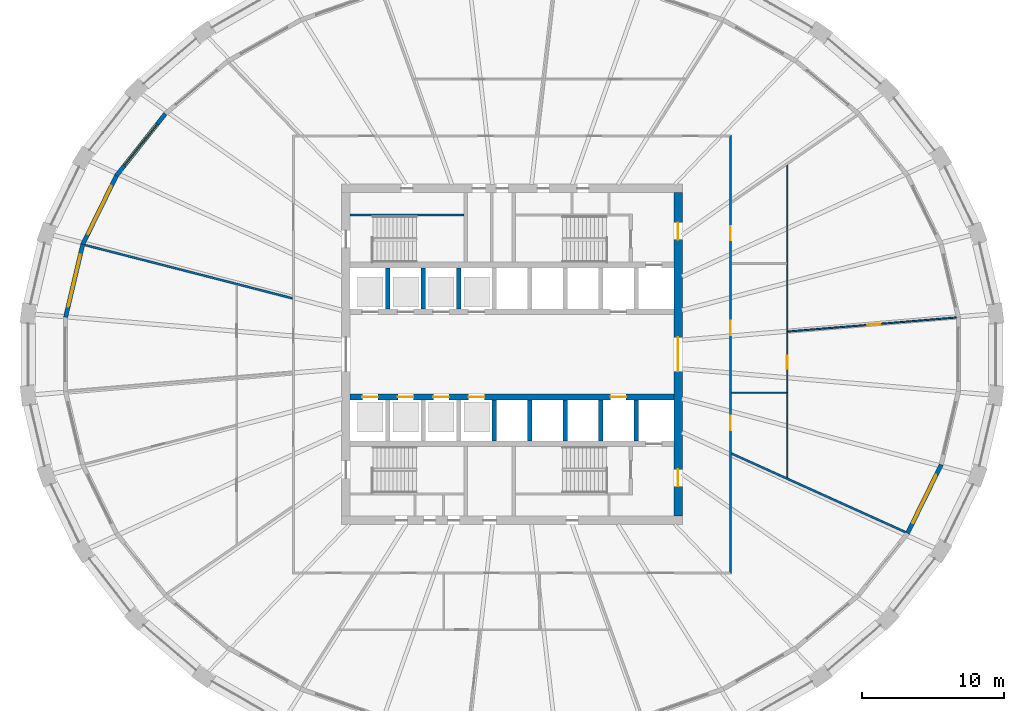
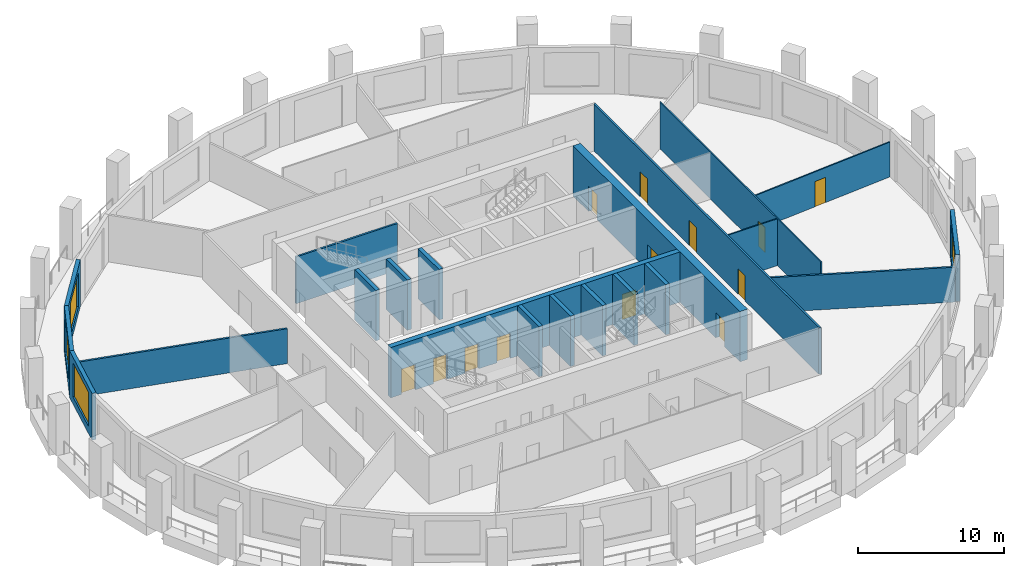
# One storey, part 5 of 11: 21 walls, 13 doors, 4 windows, 17 openings.
"""IFC4 building model written with IfcOpenShell, lengths in metres."""

from ifc_helpers import new_model, si_unit, direction, frame, frame_2d, origin, place, context, subcontext, project, spatial, polyline, rectangle, outline, extrude, material, layer, layer_set, type_object, element, fill, save


model = new_model("IFC4")

# Units and contexts
model_context = context("Model", 3, precision=1e-05, world=origin(), true_north=direction((0.0, 1.0)))
body_context = subcontext(model_context, "Body", "Model", "MODEL_VIEW")
ifc_project = project(units=[si_unit("LENGTHUNIT", "METRE"), si_unit("AREAUNIT", "SQUARE_METRE"), si_unit("VOLUMEUNIT", "CUBIC_METRE"), si_unit("PLANEANGLEUNIT", "RADIAN"), si_unit("MASSUNIT", "GRAM", prefix="KILO")], contexts=[model_context])

# Site, building, storey
site_placement = place(None, origin())
site = spatial("IfcSite", under=ifc_project, at=site_placement, CompositionType="ELEMENT")
building_placement = place(site_placement, origin())
building = spatial("IfcBuilding", under=site, at=building_placement, Name="Halqa Exchange Tower", CompositionType="ELEMENT")
storey_placement = place(building_placement, frame((0.0, 0.0, 146.5)))
storey = spatial("IfcBuildingStorey", under=building, at=storey_placement, Name="L33", CompositionType="ELEMENT", Elevation=146.5)

# Wall
ifc_material_1 = material(Name="Fire-rated gypsum board")
ifc_layer_1 = layer(ifc_material_1, 0.14990234375)
ifc_layer_set_1 = layer_set([ifc_layer_1], Name="Fire-rated gypsum board")
wall_type_1 = type_object("IfcWallType", Name="Fire partition EI 60 150", PredefinedType="PARTITIONING", material=ifc_layer_set_1)
wall_1_placement = place(storey_placement, frame((-30.106201171875, 7.714599609375, 0.0), z_axis=(0.0, 0.0, 1.0), x_axis=(0.968604188178, -0.248607977837, 0.0)))
element("IfcWall", 1, at=wall_1_placement, inside=storey, type_object=wall_type_1, Name="L33-PWL-002", PredefinedType="PARTITIONING", context=body_context, shape_type="SweptSolid", body=[
    extrude(outline(polyline([(0.0, -0.074951171875), (1.853271484375, -0.074951171875), (3.70654296875, -0.074951171875), (5.56005859375, -0.074951171875), (7.413330078125, -0.074951171875), (9.2666015625, -0.074951171875), (11.119873046875, -0.074951171875), (11.123779296875, -0.073974609375), (11.1240234375, -0.074951171875), (12.45751953125, -0.074951171875), (13.790771484375, -0.074951171875), (15.124267578125, -0.074951171875), (15.124267578125, -0.0732421875), (15.086181640625, 0.074951171875), (13.2021484375, 0.074951171875), (11.318359375, 0.074951171875), (9.434326171875, 0.074951171875), (7.55029296875, 0.074951171875), (5.66650390625, 0.074951171875), (3.782470703125, 0.074951171875), (1.8984375, 0.074951171875), (0.0146484375, 0.074951171875), (0.0, 0.0048828125), (0.0, -0.074951171875)])), origin(), (0.0, 0.0, 1.0), 2.909912109375),
])

# Wall, openings, doors
wall_2_placement = place(storey_placement, frame((15.39990234375, -15.47509765625, 0.0), z_axis=(0.0, 0.0, 1.0), x_axis=(0.0, 1.0, 0.0)))
wall_2 = element("IfcWall", 2, at=wall_2_placement, inside=storey, type_object=wall_type_1, Name="L33-PWL-023", PredefinedType="PARTITIONING", context=body_context, shape_type="SweptSolid", body=[
    extrude(outline(polyline([(0.000244140625, -0.074951171875), (1.9345703125, -0.074951171875), (3.868896484375, -0.074951171875), (5.80322265625, -0.074951171875), (7.73779296875, -0.074951171875), (9.672119140625, -0.074951171875), (11.6064453125, -0.074951171875), (13.540771484375, -0.074951171875), (15.47509765625, -0.074951171875), (17.409423828125, -0.074951171875), (19.34375, -0.074951171875), (21.278076171875, -0.074951171875), (23.21240234375, -0.074951171875), (25.14697265625, -0.074951171875), (27.081298828125, -0.074951171875), (29.015625, -0.074951171875), (30.949951171875, -0.074951171875), (30.800048828125, 0.074951171875), (28.884521484375, 0.074951171875), (26.96875, 0.074951171875), (25.05322265625, 0.074951171875), (23.1376953125, 0.074951171875), (21.221923828125, 0.074951171875), (19.306396484375, 0.074951171875), (17.390625, 0.074951171875), (15.47509765625, 0.074951171875), (13.5595703125, 0.074951171875), (11.643798828125, 0.074951171875), (9.728271484375, 0.074951171875), (7.8125, 0.074951171875), (5.89697265625, 0.074951171875), (3.9814453125, 0.074951171875), (2.065673828125, 0.074951171875), (0.150146484375, 0.074951171875), (0.000244140625, -0.074951171875)])), origin(), (0.0, 0.0, 1.0), 3.89990234375),
])
opening_1_placement = place(wall_2_placement, frame((10.14990234375, 0.0, 0.0)))
opening_1 = element("IfcOpeningElement", 3, at=opening_1_placement, cuts=wall_2, Name="Opening 10-01", PredefinedType="OPENING", context=body_context, shape_type="SweptSolid", body=[
    extrude(rectangle(XDim=1.0, YDim=2.10009765625, at=frame_2d((0.5, 1.050048828125))), frame((0.0, 0.0869140625, 0.0), z_axis=(0.0, -1.0, 0.0), x_axis=(1.0, 0.0, 0.0)), (0.0, 0.0, 1.0), 0.173828125),
])
opening_2_placement = place(wall_2_placement, frame((16.8349609375, 0.0, 0.0)))
opening_2 = element("IfcOpeningElement", 4, at=opening_2_placement, cuts=wall_2, Name="Opening 10-02", PredefinedType="OPENING", context=body_context, shape_type="SweptSolid", body=[
    extrude(rectangle(XDim=1.0, YDim=2.10009765625, at=frame_2d((0.5, 1.050048828125))), frame((0.0, 0.0869140625, 0.0), z_axis=(0.0, -1.0, 0.0), x_axis=(1.0, 0.0, 0.0)), (0.0, 0.0, 1.0), 0.173828125),
])
opening_3_placement = place(wall_2_placement, frame((23.52001953125, 0.0, 0.0)))
opening_3 = element("IfcOpeningElement", 5, at=opening_3_placement, cuts=wall_2, Name="Opening 10-03", PredefinedType="OPENING", context=body_context, shape_type="SweptSolid", body=[
    extrude(rectangle(XDim=1.0, YDim=2.10009765625, at=frame_2d((0.5, 1.050048828125))), frame((0.0, 0.0869140625, 0.0), z_axis=(0.0, -1.0, 0.0), x_axis=(1.0, 0.0, 0.0)), (0.0, 0.0, 1.0), 0.173828125),
])
ifc_material_2 = material(Name="Steel fire door leaf", Category="steel")
door_type_1 = type_object("IfcDoorType", Name="Fire door FD30S 1000 x 2100", OperationType="SINGLE_SWING_LEFT", PredefinedType="DOOR", material=ifc_material_2)
door_1_placement = place(opening_1_placement, frame((1.0, 0.0, 0.0), z_axis=(0.0, 0.0, 1.0), x_axis=(-1.0, 0.0, 0.0)))
door_1 = element("IfcDoor", 6, at=door_1_placement, inside=storey, type_object=door_type_1, Name="L33-IDR-001", OperationType="SINGLE_SWING_LEFT", OverallHeight=2.10009765625, OverallWidth=1.0, PredefinedType="DOOR", context=body_context, shape_type="SweptSolid", body=[
    extrude(rectangle(XDim=1.0, YDim=2.10009765625, at=frame_2d((0.5, 1.050048828125))), frame((0.0, 0.02490234375, 0.0), z_axis=(0.0, -1.0, 0.0), x_axis=(1.0, 0.0, 0.0)), (0.0, 0.0, 1.0), 0.050048828125),
])
fill(opening_1, door_1)
door_2_placement = place(opening_2_placement, frame((1.0, 0.0, 0.0), z_axis=(0.0, 0.0, 1.0), x_axis=(-1.0, 0.0, 0.0)))
door_2 = element("IfcDoor", 7, at=door_2_placement, inside=storey, type_object=door_type_1, Name="L33-IDR-002", OperationType="SINGLE_SWING_LEFT", OverallHeight=2.10009765625, OverallWidth=1.0, PredefinedType="DOOR", context=body_context, shape_type="SweptSolid", body=[
    extrude(rectangle(XDim=1.0, YDim=2.10009765625, at=frame_2d((0.5, 1.050048828125))), frame((0.0, 0.02490234375, 0.0), z_axis=(0.0, -1.0, 0.0), x_axis=(1.0, 0.0, 0.0)), (0.0, 0.0, 1.0), 0.050048828125),
])
fill(opening_2, door_2)
door_3_placement = place(opening_3_placement, frame((1.0, 0.0, 0.0), z_axis=(0.0, 0.0, 1.0), x_axis=(-1.0, 0.0, 0.0)))
door_3 = element("IfcDoor", 8, at=door_3_placement, inside=storey, type_object=door_type_1, Name="L33-IDR-003", OperationType="SINGLE_SWING_LEFT", OverallHeight=2.10009765625, OverallWidth=1.0, PredefinedType="DOOR", context=body_context, shape_type="SweptSolid", body=[
    extrude(rectangle(XDim=1.0, YDim=2.10009765625, at=frame_2d((0.5, 1.050048828125))), frame((0.0, 0.02490234375, 0.0), z_axis=(0.0, -1.0, 0.0), x_axis=(1.0, 0.0, 0.0)), (0.0, 0.0, 1.0), 0.050048828125),
])
fill(opening_3, door_3)

# Walls
wall_3_placement = place(storey_placement, frame((15.444091796875, -6.969970703125, 0.0), z_axis=(0.0, 0.0, 1.0), x_axis=(0.911349155517, -0.411634202587, 0.0)))
element("IfcWall", 9, at=wall_3_placement, inside=storey, type_object=wall_type_1, Name="L33-PWL-024", PredefinedType="PARTITIONING", context=body_context, shape_type="SweptSolid", body=[
    extrude(outline(polyline([(0.06787109375, -0.074951171875), (1.98388671875, -0.074951171875), (3.89990234375, -0.074951171875), (5.81591796875, -0.074951171875), (7.73193359375, -0.074951171875), (9.64794921875, -0.074951171875), (11.564208984375, -0.074951171875), (13.480224609375, -0.074951171875), (13.49951171875, 0.0029296875), (13.50146484375, 0.0615234375), (13.50146484375, 0.074951171875), (11.65185546875, 0.074951171875), (9.80224609375, 0.074951171875), (7.95263671875, 0.074951171875), (6.10302734375, 0.074951171875), (4.25341796875, 0.074951171875), (4.252197265625, 0.074462890625), (4.251953125, 0.074951171875), (2.834716796875, 0.074951171875), (1.41748046875, 0.074951171875), (0.0, 0.074951171875), (0.06787109375, -0.074951171875)])), origin(), (0.0, 0.0, 1.0), 2.909912109375),
])
ifc_material_3 = material(Name="Gypsum board")
ifc_layer_2 = layer(ifc_material_3, 0.10009765625)
ifc_layer_set_2 = layer_set([ifc_layer_2], Name="Gypsum board")
wall_type_2 = type_object("IfcWallType", Name="Partition 100 gypsum", PredefinedType="PARTITIONING", material=ifc_layer_set_2)
wall_4_placement = place(storey_placement, frame((15.47509765625, -2.699951171875, 0.0), z_axis=(0.0, 0.0, 1.0), x_axis=(1.0, 0.0, 0.0)))
element("IfcWall", 10, at=wall_4_placement, inside=storey, type_object=wall_type_2, Name="L33-PWL-025", PredefinedType="PARTITIONING", context=body_context, shape_type="SweptSolid", body=[
    extrude(rectangle(XDim=3.875, YDim=0.10009765625, at=frame_2d((1.9375, 0.0))), origin(), (0.0, 0.0, 1.0), 3.89990234375),
])

# Wall, opening, door
wall_5_placement = place(storey_placement, frame((19.39990234375, -8.696533203125, 0.0), z_axis=(0.0, 0.0, 1.0), x_axis=(0.0, 1.0, 0.0)))
wall_5 = element("IfcWall", 11, at=wall_5_placement, inside=storey, type_object=wall_type_2, Name="L33-PWL-028", PredefinedType="PARTITIONING", context=body_context, shape_type="SweptSolid", body=[
    extrude(outline(polyline([(22.07958984375, -0.050048828125), (22.07958984375, -0.049560546875), (22.010498046875, 0.050048828125), (20.299560546875, 0.050048828125), (18.588623046875, 0.050048828125), (16.87744140625, 0.050048828125), (15.16650390625, 0.050048828125), (15.16650390625, 0.0498046875), (15.066650390625, 0.0498046875), (15.066650390625, 0.050048828125), (13.262451171875, 0.050048828125), (11.45849609375, 0.050048828125), (9.654541015625, 0.050048828125), (7.8505859375, 0.050048828125), (6.046630859375, 0.050048828125), (6.046630859375, 0.0498046875), (5.946533203125, 0.0498046875), (5.946533203125, 0.050048828125), (3.979248046875, 0.050048828125), (2.011962890625, 0.050048828125), (0.044677734375, 0.050048828125), (0.0, -0.049072265625), (0.0, -0.050048828125), (1.83984375, -0.050048828125), (3.679931640625, -0.050048828125), (5.52001953125, -0.050048828125), (7.35986328125, -0.050048828125), (9.19970703125, -0.050048828125), (11.039794921875, -0.050048828125), (12.8798828125, -0.050048828125), (14.7197265625, -0.050048828125), (16.5595703125, -0.050048828125), (18.399658203125, -0.050048828125), (20.23974609375, -0.050048828125), (22.07958984375, -0.050048828125)])), origin(), (0.0, 0.0, 1.0), 3.89990234375),
])
opening_4_placement = place(wall_5_placement, frame((7.701416015625, 0.0, 0.0)))
opening_4 = element("IfcOpeningElement", 12, at=opening_4_placement, cuts=wall_5, Name="Opening 10-16", PredefinedType="OPENING", context=body_context, shape_type="SweptSolid", body=[
    extrude(rectangle(XDim=0.89990234375, YDim=2.10009765625, at=frame_2d((0.449951171875, 1.050048828125))), frame((0.0, 0.06201171875, 0.0), z_axis=(0.0, -1.0, 0.0), x_axis=(1.0, 0.0, 0.0)), (0.0, 0.0, 1.0), 0.1240234375),
])
ifc_material_4 = material(Name="Timber door leaf", Category="wood")
door_type_2 = type_object("IfcDoorType", Name="Door 900 x 2100", OperationType="SINGLE_SWING_LEFT", PredefinedType="DOOR", material=ifc_material_4)
door_4_placement = place(opening_4_placement, origin())
door_4 = element("IfcDoor", 13, at=door_4_placement, inside=storey, type_object=door_type_2, Name="L33-IDR-016", OperationType="SINGLE_SWING_RIGHT", OverallHeight=2.10009765625, OverallWidth=0.89990234375, PredefinedType="DOOR", context=body_context, shape_type="SweptSolid", body=[
    extrude(rectangle(XDim=0.89990234375, YDim=2.10009765625, at=frame_2d((0.449951171875, 1.050048828125))), frame((0.0, 0.02490234375, 0.0), z_axis=(0.0, -1.0, 0.0), x_axis=(1.0, 0.0, 0.0)), (0.0, 0.0, 1.0), 0.050048828125),
])
fill(opening_4, door_4)

wall_6_placement = place(storey_placement, frame((19.44580078125, 1.61376953125, 0.0), z_axis=(0.0, 0.0, 1.0), x_axis=(0.996528479526, 0.083252564492, 0.0)))
wall_6 = element("IfcWall", 14, at=wall_6_placement, inside=storey, type_object=wall_type_2, Name="L33-PWL-029", PredefinedType="PARTITIONING", context=body_context, shape_type="SweptSolid", body=[
    extrude(outline(polyline([(0.0, -0.050048828125), (1.98388671875, -0.050048828125), (3.9677734375, -0.050048828125), (5.95166015625, -0.050048828125), (7.935302734375, -0.050048828125), (9.919189453125, -0.050048828125), (11.903076171875, -0.050048828125), (11.903076171875, -0.0498046875), (11.903076171875, 0.026611328125), (11.899658203125, 0.050048828125), (9.917724609375, 0.050048828125), (7.935791015625, 0.050048828125), (5.9541015625, 0.050048828125), (3.97216796875, 0.050048828125), (1.990234375, 0.050048828125), (0.00830078125, 0.050048828125), (0.0, -0.050048828125)])), origin(), (0.0, 0.0, 1.0), 2.909912109375),
])
opening_5_placement = place(wall_6_placement, frame((5.63037109375, 0.0, 0.0)))
opening_5 = element("IfcOpeningElement", 15, at=opening_5_placement, cuts=wall_6, Name="Opening 10-17", PredefinedType="OPENING", context=body_context, shape_type="SweptSolid", body=[
    extrude(rectangle(XDim=0.89990234375, YDim=2.10009765625, at=frame_2d((0.449951171875, 1.050048828125))), frame((0.0, 0.06201171875, 0.0), z_axis=(0.0, -1.0, 0.0), x_axis=(1.0, 0.0, 0.0)), (0.0, 0.0, 1.0), 0.1240234375),
])
door_5_placement = place(opening_5_placement, origin())
door_5 = element("IfcDoor", 16, at=door_5_placement, inside=storey, type_object=door_type_2, Name="L33-IDR-017", OperationType="SINGLE_SWING_RIGHT", OverallHeight=2.10009765625, OverallWidth=0.89990234375, PredefinedType="DOOR", context=body_context, shape_type="SweptSolid", body=[
    extrude(rectangle(XDim=0.89990234375, YDim=2.10009765625, at=frame_2d((0.449951171875, 1.050048828125))), frame((0.0, 0.02490234375, 0.0), z_axis=(0.0, -1.0, 0.0), x_axis=(1.0, 0.0, 0.0)), (0.0, 0.0, 1.0), 0.050048828125),
])
fill(opening_5, door_5)

# Walls
ifc_material_5 = material(Name="Concrete C60/75", Category="concrete")
ifc_layer_3 = layer(ifc_material_5, 0.300048828125)
ifc_layer_set_3 = layer_set([ifc_layer_3], Name="Concrete C60/75")
wall_type_3 = type_object("IfcWallType", Name="RC core wall 300", PredefinedType="SHEAR", material=ifc_layer_set_3)
for number, where, z_axis, x_axis, name in (
    (17, (-8.75, 3.199951171875, 0.0), (0.0, 0.0, 1.0), (0.0, 1.0, 0.0), "Shaft divider N1"),
    (18, (-6.25, 3.199951171875, 0.0), (0.0, 0.0, 1.0), (0.0, 1.0, 0.0), "Shaft divider N2"),
    (19, (-3.75, 3.199951171875, 0.0), (0.0, 0.0, 1.0), (0.0, 1.0, 0.0), "Shaft divider N3"),
    (20, (-1.25, -6.10009765625, 0.0), (0.0, 0.0, 1.0), (0.0, 1.0, 0.0), "Shaft divider S4"),
    (21, (1.25, -6.10009765625, 0.0), (0.0, 0.0, 1.0), (0.0, 1.0, 0.0), "Shaft divider S5"),
    (22, (3.75, -6.10009765625, 0.0), (0.0, 0.0, 1.0), (0.0, 1.0, 0.0), "Shaft divider S6"),
    (23, (6.25, -6.10009765625, 0.0), (0.0, 0.0, 1.0), (0.0, 1.0, 0.0), "Shaft divider S7"),
    (24, (8.75, -6.10009765625, 0.0), (0.0, 0.0, 1.0), (0.0, 1.0, 0.0), "Shaft divider S8"),
):
    element("IfcWall", number, at=place(storey_placement, frame(where, z_axis=z_axis, x_axis=x_axis)), inside=storey, type_object=wall_type_3, Name=name, PredefinedType="SHEAR", context=body_context, shape_type="SweptSolid", body=[
        extrude(rectangle(XDim=2.900146484375, YDim=0.300048828125, at=frame_2d((1.4501953125, 0.0))), origin(), (0.0, 0.0, 1.0), 4.199951171875),
    ])

# Wall, openings, doors
ifc_material_6 = material(Name="Concrete C70/85", Category="concrete")
ifc_layer_4 = layer(ifc_material_6, 0.39990234375)
ifc_layer_set_4 = layer_set([ifc_layer_4], Name="Concrete C70/85")
wall_type_4 = type_object("IfcWallType", Name="RC core wall 400 C70/85", PredefinedType="SHEAR", material=ifc_layer_set_4)
wall_7_placement = place(storey_placement, frame((-11.39990234375, -3.0, 0.0), z_axis=(0.0, 0.0, 1.0), x_axis=(1.0, 0.0, 0.0)))
wall_7 = element("IfcWall", 25, at=wall_7_placement, inside=storey, type_object=wall_type_4, Name="Lift row front wall S", PredefinedType="SHEAR", context=body_context, shape_type="SweptSolid", body=[
    extrude(rectangle(XDim=22.7998046875, YDim=0.39990234375, at=frame_2d((11.39990234375, 0.0))), origin(), (0.0, 0.0, 1.0), 4.199951171875),
])
opening_6_placement = place(wall_7_placement, frame((0.85009765625, 0.0, 0.0)))
opening_6 = element("IfcOpeningElement", 26, at=opening_6_placement, cuts=wall_7, Name="Opening LD-LR5-T10", PredefinedType="OPENING", context=body_context, shape_type="SweptSolid", body=[
    extrude(rectangle(XDim=1.10009765625, YDim=2.10009765625, at=frame_2d((0.550048828125, 1.050048828125))), frame((0.0, 0.2119140625, 0.0), z_axis=(0.0, -1.0, 0.0), x_axis=(1.0, 0.0, 0.0)), (0.0, 0.0, 1.0), 0.423828125),
])
opening_7_placement = place(wall_7_placement, frame((3.35009765625, 0.0, 0.0)))
opening_7 = element("IfcOpeningElement", 27, at=opening_7_placement, cuts=wall_7, Name="Opening LD-LR6-T10", PredefinedType="OPENING", context=body_context, shape_type="SweptSolid", body=[
    extrude(rectangle(XDim=1.10009765625, YDim=2.10009765625, at=frame_2d((0.550048828125, 1.050048828125))), frame((0.0, 0.2119140625, 0.0), z_axis=(0.0, -1.0, 0.0), x_axis=(1.0, 0.0, 0.0)), (0.0, 0.0, 1.0), 0.423828125),
])
opening_8_placement = place(wall_7_placement, frame((5.85009765625, 0.0, 0.0)))
opening_8 = element("IfcOpeningElement", 28, at=opening_8_placement, cuts=wall_7, Name="Opening LD-LR7-T10", PredefinedType="OPENING", context=body_context, shape_type="SweptSolid", body=[
    extrude(rectangle(XDim=1.10009765625, YDim=2.10009765625, at=frame_2d((0.550048828125, 1.050048828125))), frame((0.0, 0.2119140625, 0.0), z_axis=(0.0, -1.0, 0.0), x_axis=(1.0, 0.0, 0.0)), (0.0, 0.0, 1.0), 0.423828125),
])
opening_9_placement = place(wall_7_placement, frame((8.35009765625, 0.0, 0.0)))
opening_9 = element("IfcOpeningElement", 29, at=opening_9_placement, cuts=wall_7, Name="Opening LD-LR8-T10", PredefinedType="OPENING", context=body_context, shape_type="SweptSolid", body=[
    extrude(rectangle(XDim=1.10009765625, YDim=2.10009765625, at=frame_2d((0.550048828125, 1.050048828125))), frame((0.0, 0.2119140625, 0.0), z_axis=(0.0, -1.0, 0.0), x_axis=(1.0, 0.0, 0.0)), (0.0, 0.0, 1.0), 0.423828125),
])
opening_10_placement = place(wall_7_placement, frame((18.35009765625, 0.0, 0.0)))
opening_10 = element("IfcOpeningElement", 30, at=opening_10_placement, cuts=wall_7, Name="Opening LD-SV2-T10", PredefinedType="OPENING", context=body_context, shape_type="SweptSolid", body=[
    extrude(rectangle(XDim=1.10009765625, YDim=2.10009765625, at=frame_2d((0.550048828125, 1.050048828125))), frame((0.0, 0.2119140625, 0.0), z_axis=(0.0, -1.0, 0.0), x_axis=(1.0, 0.0, 0.0)), (0.0, 0.0, 1.0), 0.423828125),
])
ifc_material_7 = material(Name="Stainless steel", Category="steel")
door_type_3 = type_object("IfcDoorType", Name="Lift landing door 1100 x 2100", OperationType="SLIDING_TO_LEFT", PredefinedType="DOOR", material=ifc_material_7)
door_6_placement = place(opening_6_placement, origin())
door_6 = element("IfcDoor", 31, at=door_6_placement, inside=storey, type_object=door_type_3, Name="Lift landing door LR5", OperationType="SLIDING_TO_LEFT", OverallHeight=2.10009765625, OverallWidth=1.10009765625, PredefinedType="DOOR", context=body_context, shape_type="SweptSolid", body=[
    extrude(rectangle(XDim=1.10009765625, YDim=2.10009765625, at=frame_2d((0.550048828125, 1.050048828125))), frame((0.0, 0.02490234375, 0.0), z_axis=(0.0, -1.0, 0.0), x_axis=(1.0, 0.0, 0.0)), (0.0, 0.0, 1.0), 0.050048828125),
])
fill(opening_6, door_6)
door_7_placement = place(opening_7_placement, origin())
door_7 = element("IfcDoor", 32, at=door_7_placement, inside=storey, type_object=door_type_3, Name="Lift landing door LR6", OperationType="SLIDING_TO_LEFT", OverallHeight=2.10009765625, OverallWidth=1.10009765625, PredefinedType="DOOR", context=body_context, shape_type="SweptSolid", body=[
    extrude(rectangle(XDim=1.10009765625, YDim=2.10009765625, at=frame_2d((0.550048828125, 1.050048828125))), frame((0.0, 0.02490234375, 0.0), z_axis=(0.0, -1.0, 0.0), x_axis=(1.0, 0.0, 0.0)), (0.0, 0.0, 1.0), 0.050048828125),
])
fill(opening_7, door_7)
door_8_placement = place(opening_8_placement, origin())
door_8 = element("IfcDoor", 33, at=door_8_placement, inside=storey, type_object=door_type_3, Name="Lift landing door LR7", OperationType="SLIDING_TO_LEFT", OverallHeight=2.10009765625, OverallWidth=1.10009765625, PredefinedType="DOOR", context=body_context, shape_type="SweptSolid", body=[
    extrude(rectangle(XDim=1.10009765625, YDim=2.10009765625, at=frame_2d((0.550048828125, 1.050048828125))), frame((0.0, 0.02490234375, 0.0), z_axis=(0.0, -1.0, 0.0), x_axis=(1.0, 0.0, 0.0)), (0.0, 0.0, 1.0), 0.050048828125),
])
fill(opening_8, door_8)
door_9_placement = place(opening_9_placement, origin())
door_9 = element("IfcDoor", 34, at=door_9_placement, inside=storey, type_object=door_type_3, Name="Lift landing door LR8", OperationType="SLIDING_TO_LEFT", OverallHeight=2.10009765625, OverallWidth=1.10009765625, PredefinedType="DOOR", context=body_context, shape_type="SweptSolid", body=[
    extrude(rectangle(XDim=1.10009765625, YDim=2.10009765625, at=frame_2d((0.550048828125, 1.050048828125))), frame((0.0, 0.02490234375, 0.0), z_axis=(0.0, -1.0, 0.0), x_axis=(1.0, 0.0, 0.0)), (0.0, 0.0, 1.0), 0.050048828125),
])
fill(opening_9, door_9)
door_10_placement = place(opening_10_placement, origin())
door_10 = element("IfcDoor", 35, at=door_10_placement, inside=storey, type_object=door_type_3, Name="Lift landing door SV2", OperationType="SLIDING_TO_LEFT", OverallHeight=2.10009765625, OverallWidth=1.10009765625, PredefinedType="DOOR", context=body_context, shape_type="SweptSolid", body=[
    extrude(rectangle(XDim=1.10009765625, YDim=2.10009765625, at=frame_2d((0.550048828125, 1.050048828125))), frame((0.0, 0.02490234375, 0.0), z_axis=(0.0, -1.0, 0.0), x_axis=(1.0, 0.0, 0.0)), (0.0, 0.0, 1.0), 0.050048828125),
])
fill(opening_10, door_10)

ifc_layer_5 = layer(ifc_material_6, 0.60009765625)
ifc_layer_set_5 = layer_set([ifc_layer_5], Name="Concrete C70/85")
wall_type_5 = type_object("IfcWallType", Name="RC core wall 600 C70/85", PredefinedType="SHEAR", material=ifc_layer_set_5)
wall_8_placement = place(storey_placement, frame((11.699951171875, -11.39990234375, 0.0), z_axis=(0.0, 0.0, 1.0), x_axis=(0.0, 1.0, 0.0)))
wall_8 = element("IfcWall", 36, at=wall_8_placement, inside=storey, type_object=wall_type_5, Name="Core wall east", PredefinedType="SHEAR", context=body_context, shape_type="SweptSolid", body=[
    extrude(rectangle(XDim=22.7998046875, YDim=0.60009765625, at=frame_2d((11.39990234375, 0.0))), origin(), (0.0, 0.0, 1.0), 4.199951171875),
])
opening_11_placement = place(wall_8_placement, frame((10.199951171875, 0.0, 0.0)))
opening_11 = element("IfcOpeningElement", 37, at=opening_11_placement, cuts=wall_8, Name="Opening T10-C14", PredefinedType="OPENING", context=body_context, shape_type="SweptSolid", body=[
    extrude(rectangle(XDim=2.39990234375, YDim=2.10009765625, at=frame_2d((1.199951171875, 1.050048828125))), frame((0.0, 0.31201171875, 0.0), z_axis=(0.0, -1.0, 0.0), x_axis=(1.0, 0.0, 0.0)), (0.0, 0.0, 1.0), 0.6240234375),
])
opening_12_placement = place(wall_8_placement, frame((19.5, 0.0, 0.0)))
opening_12 = element("IfcOpeningElement", 38, at=opening_12_placement, cuts=wall_8, Name="Opening T10-C19", PredefinedType="OPENING", context=body_context, shape_type="SweptSolid", body=[
    extrude(rectangle(XDim=1.199951171875, YDim=2.10009765625, at=frame_2d((0.60009765625, 1.050048828125))), frame((0.0, 0.31201171875, 0.0), z_axis=(0.0, -1.0, 0.0), x_axis=(1.0, 0.0, 0.0)), (0.0, 0.0, 1.0), 0.6240234375),
])
opening_13_placement = place(wall_8_placement, frame((2.10009765625, 0.0, 0.0)))
opening_13 = element("IfcOpeningElement", 39, at=opening_13_placement, cuts=wall_8, Name="Opening T10-C20", PredefinedType="OPENING", context=body_context, shape_type="SweptSolid", body=[
    extrude(rectangle(XDim=1.199951171875, YDim=2.10009765625, at=frame_2d((0.60009765625, 1.050048828125))), frame((0.0, 0.31201171875, 0.0), z_axis=(0.0, -1.0, 0.0), x_axis=(1.0, 0.0, 0.0)), (0.0, 0.0, 1.0), 0.6240234375),
])
door_type_4 = type_object("IfcDoorType", Name="Firefighting lobby door FD90 1200 x 2100", OperationType="SINGLE_SWING_RIGHT", PredefinedType="DOOR", material=ifc_material_2)
door_11_placement = place(opening_12_placement, origin())
door_11 = element("IfcDoor", 40, at=door_11_placement, inside=storey, type_object=door_type_4, Name="Firefighting lobby door", OperationType="SINGLE_SWING_RIGHT", OverallHeight=2.10009765625, OverallWidth=1.199951171875, PredefinedType="DOOR", context=body_context, shape_type="SweptSolid", body=[
    extrude(rectangle(XDim=1.199951171875, YDim=2.10009765625, at=frame_2d((0.60009765625, 1.050048828125))), frame((0.0, 0.02490234375, 0.0), z_axis=(0.0, -1.0, 0.0), x_axis=(1.0, 0.0, 0.0)), (0.0, 0.0, 1.0), 0.050048828125),
])
fill(opening_12, door_11)
door_12_placement = place(opening_13_placement, origin())
door_12 = element("IfcDoor", 41, at=door_12_placement, inside=storey, type_object=door_type_4, Name="Firefighting lobby door", OperationType="SINGLE_SWING_LEFT", OverallHeight=2.10009765625, OverallWidth=1.199951171875, PredefinedType="DOOR", context=body_context, shape_type="SweptSolid", body=[
    extrude(rectangle(XDim=1.199951171875, YDim=2.10009765625, at=frame_2d((0.60009765625, 1.050048828125))), frame((0.0, 0.02490234375, 0.0), z_axis=(0.0, -1.0, 0.0), x_axis=(1.0, 0.0, 0.0)), (0.0, 0.0, 1.0), 0.050048828125),
])
fill(opening_13, door_12)
door_type_5 = type_object("IfcDoorType", Name="Lobby double door FD60 2400 x 2100", OperationType="DOUBLE_DOOR_SINGLE_SWING", PredefinedType="DOOR", material=ifc_material_2)
door_13_placement = place(opening_11_placement, origin())
door_13 = element("IfcDoor", 42, at=door_13_placement, inside=storey, type_object=door_type_5, Name="Lift lobby double door", OperationType="DOUBLE_DOOR_SINGLE_SWING", OverallHeight=2.10009765625, OverallWidth=2.39990234375, PredefinedType="DOOR", context=body_context, shape_type="SweptSolid", body=[
    extrude(rectangle(XDim=2.39990234375, YDim=2.10009765625, at=frame_2d((1.199951171875, 1.050048828125))), frame((0.0, 0.02490234375, 0.0), z_axis=(0.0, -1.0, 0.0), x_axis=(1.0, 0.0, 0.0)), (0.0, 0.0, 1.0), 0.050048828125),
])
fill(opening_11, door_13)

# Wall
ifc_material_8 = material(Name="Concrete C30/37", Category="concrete")
ifc_layer_6 = layer(ifc_material_8, 0.14990234375)
ifc_layer_set_6 = layer_set([ifc_layer_6], Name="Concrete C30/37")
wall_type_6 = type_object("IfcWallType", Name="RC stair wall 150 C30/37", PredefinedType="SHEAR", material=ifc_layer_set_6)
wall_9_placement = place(storey_placement, frame((-11.39990234375, 9.824951171875, 0.0), z_axis=(0.0, 0.0, 1.0), x_axis=(1.0, 0.0, 0.0)))
element("IfcWall", 43, at=wall_9_placement, inside=storey, type_object=wall_type_6, Name="Stair ST1 north wall N", PredefinedType="SHEAR", context=body_context, shape_type="SweptSolid", body=[
    extrude(rectangle(XDim=8.0, YDim=0.14990234375, at=frame_2d((4.0, 0.0))), origin(), (0.0, 0.0, 1.0), 3.89990234375),
])

# Wall, opening, window
ifc_material_9 = material(Name="Limestone cladding", Category="masonry")
ifc_layer_7 = layer(ifc_material_9, 0.0400390625)
ifc_material_10 = material(Name="Ventilated cavity")
ifc_layer_8 = layer(ifc_material_10, 0.030029296875, ventilated=True)
ifc_material_11 = material(Name="Mineral wool insulation")
ifc_layer_9 = layer(ifc_material_11, 0.10009765625)
ifc_layer_10 = layer(ifc_material_8, 0.10009765625)
ifc_material_12 = material(Name="Internal plaster")
ifc_layer_11 = layer(ifc_material_12, 0.030029296875)
ifc_layer_set_7 = layer_set([ifc_layer_7, ifc_layer_8, ifc_layer_9, ifc_layer_10, ifc_layer_11], Name="Stone-faced insulated wall 300")
wall_type_7 = type_object("IfcWallType", Name="Stone-faced insulated wall 300", PredefinedType="STANDARD", material=ifc_layer_set_7)
wall_10_placement = place(storey_placement, frame((-24.4296875, 16.959716796875, 0.0), z_axis=(0.0, 0.0, 1.0), x_axis=(-0.620520511988, -0.784190215574, 0.0)))
wall_10 = element("IfcWall", 44, at=wall_10_placement, inside=storey, type_object=wall_type_7, Name="Glass-line wall 13", PredefinedType="STANDARD", context=body_context, shape_type="SweptSolid", body=[
    extrude(outline(polyline([(-0.01513671875, -0.14990234375), (5.569580078125, -0.14990234375), (5.537353515625, 0.14990234375), (0.01513671875, 0.14990234375), (-0.01513671875, -0.14990234375)])), origin(), (0.0, 0.0, 1.0), 3.89990234375),
])
opening_14_placement = place(wall_10_placement, frame((0.901611328125, 0.0, 0.60009765625)))
opening_14 = element("IfcOpeningElement", 45, at=opening_14_placement, cuts=wall_10, Name="Opening W-F2-13", PredefinedType="OPENING", context=body_context, shape_type="SweptSolid", body=[
    extrude(rectangle(XDim=3.75, YDim=2.85009765625, at=frame_2d((1.875, 1.425048828125))), frame((0.0, 0.162109375, 0.0), z_axis=(0.0, -1.0, 0.0), x_axis=(1.0, 0.0, 0.0)), (0.0, 0.0, 1.0), 0.323974609375),
])
ifc_material_13 = material(Name="Clear low-emissivity glass in aluminium frame", Category="aluminium")
window_type = type_object("IfcWindowType", Name="Fixed clear glazed window 3750 x 2850", PartitioningType="TRIPLE_PANEL_VERTICAL", PredefinedType="WINDOW", material=ifc_material_13)
window_1_placement = place(opening_14_placement, origin())
window_1 = element("IfcWindow", 46, at=window_1_placement, inside=storey, type_object=window_type, Name="Window 2", OverallHeight=2.85009765625, OverallWidth=3.75, PartitioningType="TRIPLE_PANEL_VERTICAL", PredefinedType="WINDOW", context=body_context, shape_type="SweptSolid", body=[
    extrude(rectangle(XDim=3.75, YDim=2.85009765625, at=frame_2d((1.875, 1.425048828125))), frame((0.0, 0.030029296875, 0.0), z_axis=(0.0, -1.0, 0.0), x_axis=(1.0, 0.0, 0.0)), (0.0, 0.0, 1.0), 0.06005859375),
])
fill(opening_14, window_1)

wall_11_placement = place(storey_placement, frame((-27.875732421875, 12.604736328125, 0.0), z_axis=(0.0, 0.0, 1.0), x_axis=(-0.440373354088, -0.897814740918, 0.0)))
wall_11 = element("IfcWall", 47, at=wall_11_placement, inside=storey, type_object=wall_type_7, Name="Glass-line wall 14", PredefinedType="STANDARD", context=body_context, shape_type="SweptSolid", body=[
    extrude(outline(polyline([(-0.01611328125, -0.14990234375), (5.409423828125, -0.14990234375), (5.375732421875, 0.14990234375), (0.01611328125, 0.14990234375), (-0.01611328125, -0.14990234375)])), origin(), (0.0, 0.0, 1.0), 3.89990234375),
])
opening_15_placement = place(wall_11_placement, frame((0.8212890625, 0.0, 0.60009765625)))
opening_15 = element("IfcOpeningElement", 48, at=opening_15_placement, cuts=wall_11, Name="Opening W-F2-14", PredefinedType="OPENING", context=body_context, shape_type="SweptSolid", body=[
    extrude(rectangle(XDim=3.75, YDim=2.85009765625, at=frame_2d((1.875, 1.425048828125))), frame((0.0, 0.162109375, 0.0), z_axis=(0.0, -1.0, 0.0), x_axis=(1.0, 0.0, 0.0)), (0.0, 0.0, 1.0), 0.323974609375),
])
window_2_placement = place(opening_15_placement, origin())
window_2 = element("IfcWindow", 49, at=window_2_placement, inside=storey, type_object=window_type, Name="Window 2", OverallHeight=2.85009765625, OverallWidth=3.75, PartitioningType="TRIPLE_PANEL_VERTICAL", PredefinedType="WINDOW", context=body_context, shape_type="SweptSolid", body=[
    extrude(rectangle(XDim=3.75, YDim=2.85009765625, at=frame_2d((1.875, 1.425048828125))), frame((0.0, 0.030029296875, 0.0), z_axis=(0.0, -1.0, 0.0), x_axis=(1.0, 0.0, 0.0)), (0.0, 0.0, 1.0), 0.06005859375),
])
fill(opening_15, window_2)

wall_12_placement = place(storey_placement, frame((-30.25048828125, 7.76318359375, 0.0), z_axis=(0.0, 0.0, 1.0), x_axis=(-0.229289208312, -0.973358340464, 0.0)))
wall_12 = element("IfcWall", 50, at=wall_12_placement, inside=storey, type_object=wall_type_7, Name="Glass-line wall 15", PredefinedType="STANDARD", context=body_context, shape_type="SweptSolid", body=[
    extrude(outline(polyline([(-0.016845703125, -0.14990234375), (5.299560546875, -0.14990234375), (5.264892578125, 0.14990234375), (0.016845703125, 0.14990234375), (-0.016845703125, -0.14990234375)])), origin(), (0.0, 0.0, 1.0), 3.89990234375),
])
opening_16_placement = place(wall_12_placement, frame((0.76611328125, 0.0, 0.60009765625)))
opening_16 = element("IfcOpeningElement", 51, at=opening_16_placement, cuts=wall_12, Name="Opening W-F2-15", PredefinedType="OPENING", context=body_context, shape_type="SweptSolid", body=[
    extrude(rectangle(XDim=3.75, YDim=2.85009765625, at=frame_2d((1.875, 1.425048828125))), frame((0.0, 0.162109375, 0.0), z_axis=(0.0, -1.0, 0.0), x_axis=(1.0, 0.0, 0.0)), (0.0, 0.0, 1.0), 0.323974609375),
])
window_3_placement = place(opening_16_placement, origin())
window_3 = element("IfcWindow", 52, at=window_3_placement, inside=storey, type_object=window_type, Name="Window 2", OverallHeight=2.85009765625, OverallWidth=3.75, PartitioningType="TRIPLE_PANEL_VERTICAL", PredefinedType="WINDOW", context=body_context, shape_type="SweptSolid", body=[
    extrude(rectangle(XDim=3.75, YDim=2.85009765625, at=frame_2d((1.875, 1.425048828125))), frame((0.0, 0.030029296875, 0.0), z_axis=(0.0, -1.0, 0.0), x_axis=(1.0, 0.0, 0.0)), (0.0, 0.0, 1.0), 0.06005859375),
])
fill(opening_16, window_3)

wall_13_placement = place(storey_placement, frame((27.875732421875, -12.604736328125, 0.0), z_axis=(0.0, 0.0, 1.0), x_axis=(0.440373354088, 0.897814740918, 0.0)))
wall_13 = element("IfcWall", 53, at=wall_13_placement, inside=storey, type_object=wall_type_7, Name="Glass-line wall 30", PredefinedType="STANDARD", context=body_context, shape_type="SweptSolid", body=[
    extrude(outline(polyline([(-0.01611328125, -0.14990234375), (5.409423828125, -0.14990234375), (5.375732421875, 0.14990234375), (0.01611328125, 0.14990234375), (-0.01611328125, -0.14990234375)])), origin(), (0.0, 0.0, 1.0), 3.89990234375),
])
opening_17_placement = place(wall_13_placement, frame((0.8212890625, 0.0, 0.60009765625)))
opening_17 = element("IfcOpeningElement", 54, at=opening_17_placement, cuts=wall_13, Name="Opening W-F2-30", PredefinedType="OPENING", context=body_context, shape_type="SweptSolid", body=[
    extrude(rectangle(XDim=3.75, YDim=2.85009765625, at=frame_2d((1.875, 1.425048828125))), frame((0.0, 0.162109375, 0.0), z_axis=(0.0, -1.0, 0.0), x_axis=(1.0, 0.0, 0.0)), (0.0, 0.0, 1.0), 0.323974609375),
])
window_4_placement = place(opening_17_placement, origin())
window_4 = element("IfcWindow", 55, at=window_4_placement, inside=storey, type_object=window_type, Name="Window 2", OverallHeight=2.85009765625, OverallWidth=3.75, PartitioningType="TRIPLE_PANEL_VERTICAL", PredefinedType="WINDOW", context=body_context, shape_type="SweptSolid", body=[
    extrude(rectangle(XDim=3.75, YDim=2.85009765625, at=frame_2d((1.875, 1.425048828125))), frame((0.0, 0.030029296875, 0.0), z_axis=(0.0, -1.0, 0.0), x_axis=(1.0, 0.0, 0.0)), (0.0, 0.0, 1.0), 0.06005859375),
])
fill(opening_17, window_4)

save(model, "model.ifc")
